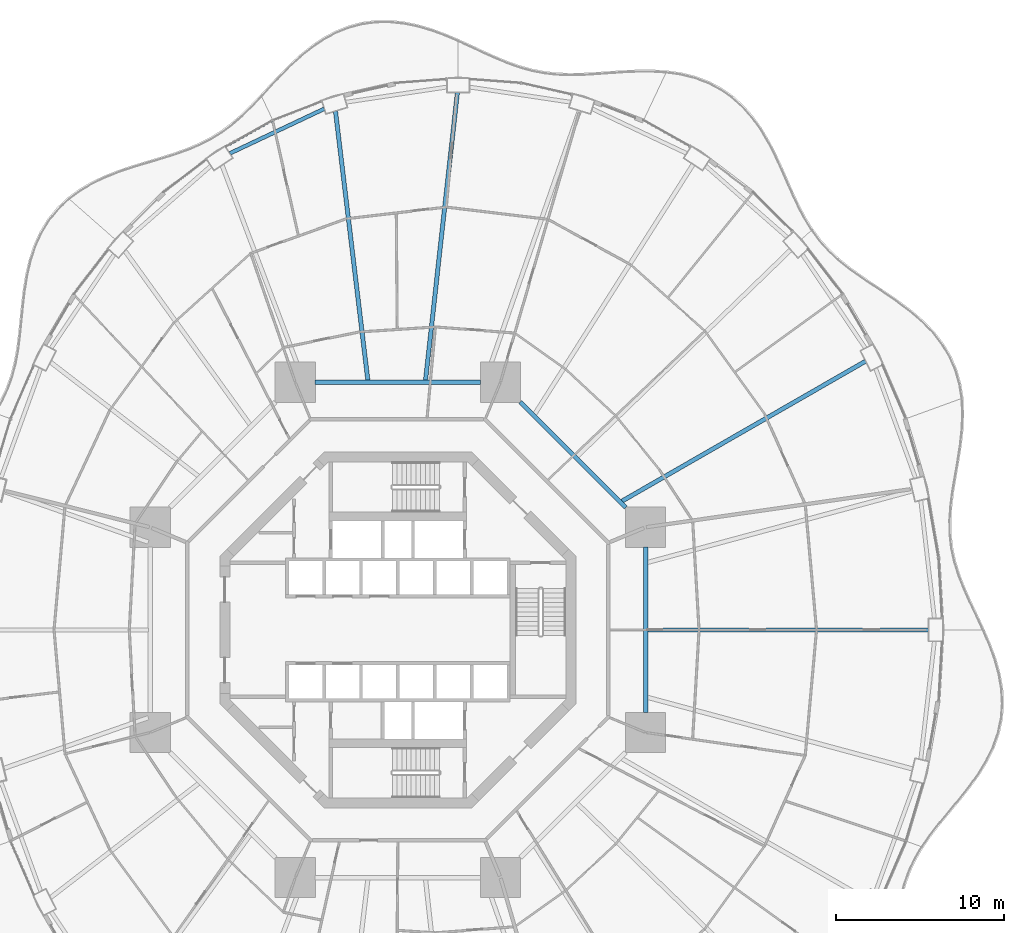
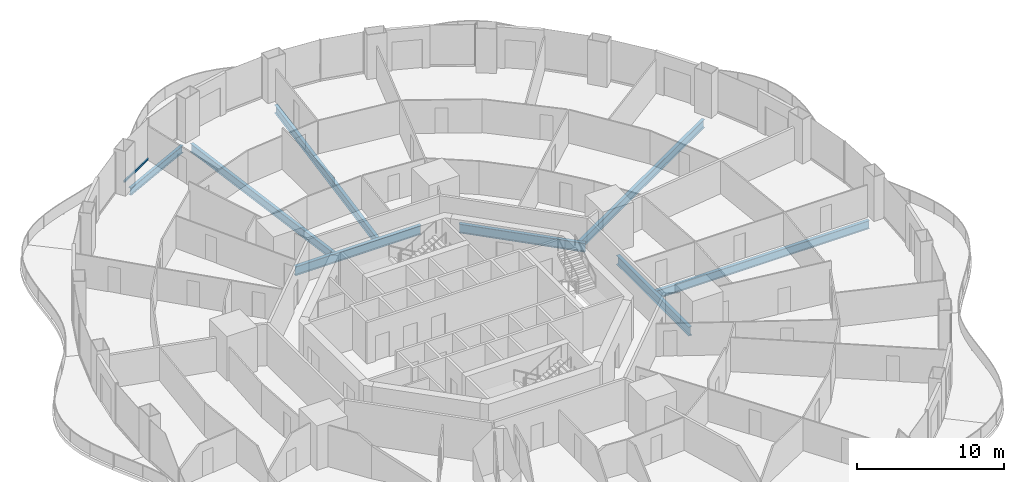
# One storey, part 8 of 22: 8 beams, 1 member, 1 element without a shape of its own.
"""IFC4 building model written with IfcOpenShell, lengths in metres."""

from ifc_helpers import new_model, si_unit, direction, frame, origin, origin_2d, place, context, subcontext, project, spatial, rectangle, i_section, extrude, material, layer, layer_set, material_profile, profile_set, type_object, element, aggregate, save


model = new_model("IFC4")

# Units and contexts
model_context = context("Model", 3, precision=1e-05, world=origin(), true_north=direction((0.0, 1.0)))
body_context = subcontext(model_context, "Body", "Model", "MODEL_VIEW")
ifc_project = project(units=[si_unit("LENGTHUNIT", "METRE"), si_unit("AREAUNIT", "SQUARE_METRE"), si_unit("VOLUMEUNIT", "CUBIC_METRE"), si_unit("PLANEANGLEUNIT", "RADIAN"), si_unit("MASSUNIT", "GRAM", prefix="KILO")], contexts=[model_context])

# Site, building, storey
site_placement = place(None, origin())
site = spatial("IfcSite", under=ifc_project, at=site_placement, CompositionType="ELEMENT")
building_placement = place(site_placement, origin())
building = spatial("IfcBuilding", under=site, at=building_placement, Name="Nagisa Residences", CompositionType="ELEMENT")
storey_placement = place(building_placement, frame((0.0, 0.0, 38.10009765625)))
storey = spatial("IfcBuildingStorey", under=building, at=storey_placement, Name="L08", CompositionType="ELEMENT", Elevation=38.10009765625)

# Curtain wall, member
ifc_material_1 = material(Name="Concrete-coloured aluminium curtain wall system", Category="concrete")
ifc_layer = layer(ifc_material_1, 0.159912109375)
ifc_layer_set = layer_set([ifc_layer], Name="CW1 CURTAIN WALL")
curtain_wall_type = type_object("IfcCurtainWallType", Name="CW1 CURTAIN WALL", PredefinedType="NOTDEFINED", material=ifc_layer_set)
curtain_wall_placement = place(storey_placement, origin())
curtain_wall = element("IfcCurtainWall", 1, at=curtain_wall_placement, inside=storey, type_object=curtain_wall_type, Name="cw:CW1:L08:15", PredefinedType="NOTDEFINED")
ifc_material_2 = material(Name="Concrete-coloured aluminium", Category="concrete")
ifc_material_profile_1 = material_profile(ifc_material_2, rectangle(XDim=0.1201171875, YDim=0.14990234375, at=origin_2d()), Name="CW1 TRANSOM 120x150")
ifc_profile_set_1 = profile_set([ifc_material_profile_1], Name="Concrete-coloured aluminium")
member_type = type_object("IfcMemberType", Name="CW1 TRANSOM 120x150", PredefinedType="USERDEFINED", material=ifc_profile_set_1)
member_placement = place(storey_placement, frame((-7.458740234375, 30.418212890625, 0.074951171875), z_axis=(-0.872070011948, -0.489381133946, 0.0), x_axis=(0.489381133946, -0.872070011948, 0.0)))
member = element("IfcMember", 2, at=member_placement, type_object=member_type, Name="CW1 transom", ObjectType="TRANSOM", PredefinedType="USERDEFINED", context=body_context, shape_type="SweptSolid", body=[
    extrude(rectangle(XDim=0.1201171875, YDim=0.14990234375, at=origin_2d()), origin(), (0.0, 0.0, 1.0), 3.201171875),
])
aggregate(curtain_wall, [member])

# Beams
ifc_material_3 = material(Name="Steel ASTM A572 Gr 50", Category="steel")
ifc_material_profile_2 = material_profile(ifc_material_3, i_section(OverallWidth=0.264892578125, OverallDepth=0.7529296875, WebThickness=0.01318359375, FlangeThickness=0.01708984375, at=origin_2d()), Name="W760x147")
ifc_profile_set_2 = profile_set([ifc_material_profile_2], Name="Steel ASTM A572 Gr 50")
beam_type_1 = type_object("IfcBeamType", Name="Inner ring beam W760x147", PredefinedType="BEAM", material=ifc_profile_set_2)
beam_1_placement = place(storey_placement, frame((13.59619140625, 7.308837890625, -0.63671875), z_axis=(-0.707106781187, 0.707106781187, 0.0), x_axis=(-0.707106781187, -0.707106781187, 0.0)))
element("IfcBeam", 3, at=beam_1_placement, inside=storey, type_object=beam_type_1, Name="beam:L08:ib1", PredefinedType="BEAM", context=body_context, shape_type="SweptSolid", body=[
    extrude(i_section(OverallWidth=0.264892578125, OverallDepth=0.7529296875, WebThickness=0.01318359375, FlangeThickness=0.01708984375, at=origin_2d()), origin(), (0.0, 0.0, 1.0), 8.8916015625),
])
for number, where, z_axis, x_axis, name in (
    (4, (4.94287109375, 14.781982421875, -0.63671875), (-1.0, 0.0, 0.0), (0.0, -1.0, 0.0), "beam:L08:ib2"),
    (5, (14.781982421875, -4.94287109375, -0.63671875), (0.0, 1.0, 0.0), (-1.0, 0.0, 0.0), "beam:L08:ib8"),
):
    element("IfcBeam", number, at=place(storey_placement, frame(where, z_axis=z_axis, x_axis=x_axis)), inside=storey, type_object=beam_type_1, Name=name, PredefinedType="BEAM", context=body_context, shape_type="SweptSolid", body=[
        extrude(i_section(OverallWidth=0.264892578125, OverallDepth=0.7529296875, WebThickness=0.01318359375, FlangeThickness=0.01708984375, at=origin_2d()), origin(), (0.0, 0.0, 1.0), 9.8857421875),
    ])
ifc_material_4 = material(Name="Steel ASTM A572 Gr 50", Category="steel")
ifc_material_profile_3 = material_profile(ifc_material_4, i_section(OverallWidth=0.22802734375, OverallDepth=0.60302734375, WebThickness=0.010498046875, FlangeThickness=0.014892578125, at=origin_2d()), Name="W610x101")
ifc_profile_set_3 = profile_set([ifc_material_profile_3], Name="Steel ASTM A572 Gr 50")
beam_type_2 = type_object("IfcBeamType", Name="Perimeter ring beam W610x101", PredefinedType="BEAM", material=ifc_profile_set_3)
beam_2_placement = place(storey_placement, frame((-4.39794921875, 31.098876953125, -0.5615234375), z_axis=(-0.904208275867, -0.427091786216, 0.0), x_axis=(0.427091786216, -0.904208275867, 0.0)))
element("IfcBeam", 6, at=beam_2_placement, inside=storey, type_object=beam_type_2, Name="beam:L08:pb08", PredefinedType="BEAM", context=body_context, shape_type="SweptSolid", body=[
    extrude(i_section(OverallWidth=0.22802734375, OverallDepth=0.60302734375, WebThickness=0.010498046875, FlangeThickness=0.014892578125, at=origin_2d()), origin(), (0.0, 0.0, 1.0), 6.227294921875),
])
ifc_material_5 = material(Name="Steel ASTM A572 Gr 50", Category="steel")
ifc_material_profile_4 = material_profile(ifc_material_5, i_section(OverallWidth=0.25390625, OverallDepth=0.68408203125, WebThickness=0.012451171875, FlangeThickness=0.018798828125, at=origin_2d()), Name="W690x140")
ifc_profile_set_4 = profile_set([ifc_material_profile_4], Name="Steel ASTM A572 Gr 50")
beam_type_3 = type_object("IfcBeamType", Name="Radial beam W690x140", PredefinedType="BEAM", material=ifc_profile_set_4)
beam_3_placement = place(storey_placement, frame((31.669921875, 0.0, -0.60205078125), z_axis=(-1.0, 0.0, 0.0), x_axis=(0.0, -1.0, 0.0)))
element("IfcBeam", 7, at=beam_3_placement, inside=storey, type_object=beam_type_3, Name="beam:L08:rb01", PredefinedType="BEAM", context=body_context, shape_type="SweptSolid", body=[
    extrude(i_section(OverallWidth=0.25390625, OverallDepth=0.68408203125, WebThickness=0.012451171875, FlangeThickness=0.018798828125, at=origin_2d()), origin(), (0.0, 0.0, 1.0), 16.775390625),
])
beam_4_placement = place(storey_placement, frame((27.908447265625, 16.035400390625, -0.60205078125), z_axis=(-0.867068052258, -0.498189715623, 0.0), x_axis=(0.498189715623, -0.867068052258, 0.0)))
element("IfcBeam", 8, at=beam_4_placement, inside=storey, type_object=beam_type_3, Name="beam:L08:rb03", PredefinedType="BEAM", context=body_context, shape_type="SweptSolid", body=[
    extrude(i_section(OverallWidth=0.25390625, OverallDepth=0.68408203125, WebThickness=0.012451171875, FlangeThickness=0.018798828125, at=origin_2d()), origin(), (0.0, 0.0, 1.0), 16.758056640625),
])
beam_5_placement = place(storey_placement, frame((3.55224609375, 32.06982421875, -0.60205078125), z_axis=(-0.110088818647, -0.993921753464, 0.0), x_axis=(0.993921753464, -0.110088818647, 0.0)))
element("IfcBeam", 9, at=beam_5_placement, inside=storey, type_object=beam_type_3, Name="beam:L08:rb07", PredefinedType="BEAM", context=body_context, shape_type="SweptSolid", body=[
    extrude(i_section(OverallWidth=0.25390625, OverallDepth=0.68408203125, WebThickness=0.012451171875, FlangeThickness=0.018798828125, at=origin_2d()), origin(), (0.0, 0.0, 1.0), 17.280029296875),
])
beam_6_placement = place(storey_placement, frame((-3.72412109375, 30.958740234375, -0.60205078125), z_axis=(0.119431411612, -0.992842453726, 0.0), x_axis=(0.992842453726, 0.119431411612, 0.0)))
element("IfcBeam", 10, at=beam_6_placement, inside=storey, type_object=beam_type_3, Name="beam:L08:rb08", PredefinedType="BEAM", context=body_context, shape_type="SweptSolid", body=[
    extrude(i_section(OverallWidth=0.25390625, OverallDepth=0.68408203125, WebThickness=0.012451171875, FlangeThickness=0.018798828125, at=origin_2d()), origin(), (0.0, 0.0, 1.0), 16.1796875),
])

save(model, "model.ifc")
